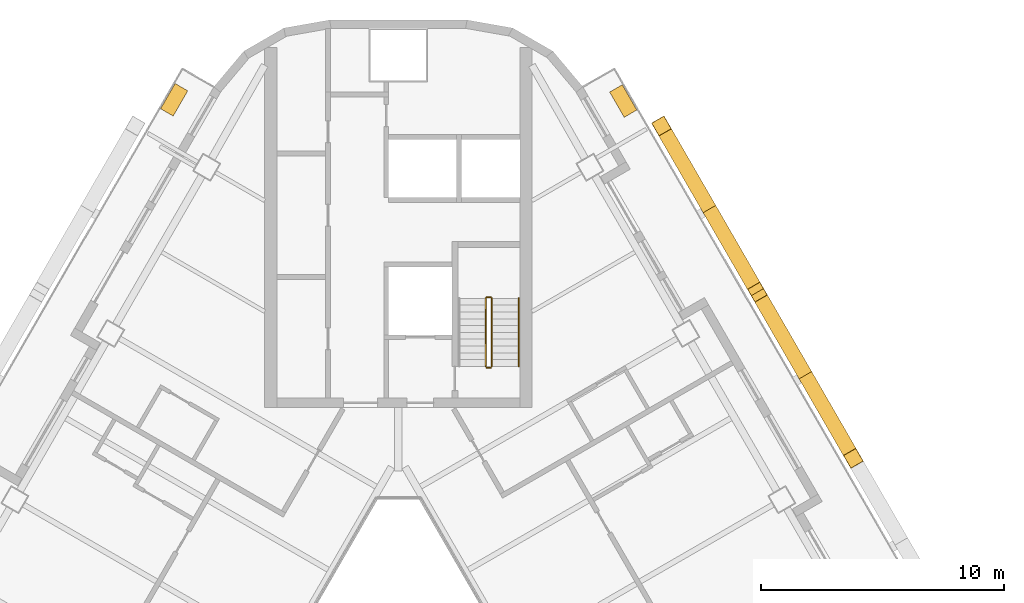
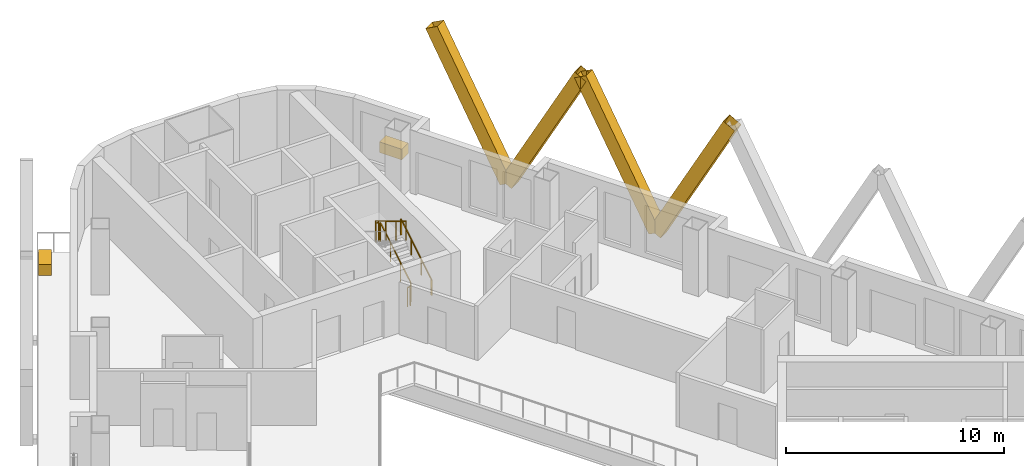
# One storey, part 13 of 13: 5 railings, 4 shading devices, 2 coverings.
"""IFC4 building model written with IfcOpenShell, lengths in metres."""

from ifc_helpers import new_model, si_unit, direction, frame, origin, origin_2d, place, context, subcontext, project, spatial, rectangle, hollow_rectangle, circle, extrude, material, material_profile, profile_set, type_object, element, save


model = new_model("IFC4")

# Units and contexts
model_context = context("Model", 3, precision=1e-05, world=origin(), true_north=direction((0.0, 1.0)))
body_context = subcontext(model_context, "Body", "Model", "MODEL_VIEW")
ifc_project = project(units=[si_unit("LENGTHUNIT", "METRE"), si_unit("AREAUNIT", "SQUARE_METRE"), si_unit("VOLUMEUNIT", "CUBIC_METRE"), si_unit("PLANEANGLEUNIT", "RADIAN"), si_unit("MASSUNIT", "GRAM", prefix="KILO")], contexts=[model_context])

# Site, building, storey
site_placement = place(None, origin())
site = spatial("IfcSite", under=ifc_project, at=site_placement, CompositionType="ELEMENT")
building_placement = place(site_placement, origin())
building = spatial("IfcBuilding", under=site, at=building_placement, Name="Apuvela Tower Hotel", CompositionType="ELEMENT")
storey_placement = place(building_placement, frame((0.0, 0.0, 183.60009765625)))
storey = spatial("IfcBuildingStorey", under=building, at=storey_placement, Name="L44", CompositionType="ELEMENT", Elevation=183.60009765625)

# Railings
ifc_material_1 = material(Name="Steel S275 balustrade", Category="steel")
railing_type_1 = type_object("IfcRailingType", Name="COR-GUARD-1100", PredefinedType="GUARDRAIL", material=ifc_material_1)
railing_1_placement = place(storey_placement, frame((3.85009765625, 14.60009765625, 0.16796875)))
element("IfcRailing", 1, at=railing_1_placement, inside=storey, type_object=railing_type_1, Name="L44 ST1 stair guard 1", PredefinedType="GUARDRAIL", context=body_context, shape_type="SweptSolid", body=[
    extrude(rectangle(XDim=0.048095703125, YDim=0.048095703125, at=origin_2d()), frame((0.0, 0.0, 1.076171875), z_axis=(0.0, 0.857222391501, 0.514946377315), x_axis=(-1.0, 0.0, 0.0)), (0.0, 0.0, 1.0), 3.26611328125),
    extrude(rectangle(XDim=0.0419921875, YDim=0.0419921875, at=origin_2d()), origin(), (0.0, 0.0, 1.0), 1.052001953125),
    extrude(rectangle(XDim=0.0419921875, YDim=0.0419921875, at=origin_2d()), frame((0.0, 0.933349609375, 0.560546875)), (0.0, 0.0, 1.0), 1.052001953125),
    extrude(rectangle(XDim=0.0419921875, YDim=0.0419921875, at=origin_2d()), frame((0.0, 1.866455078125, 1.121337890625)), (0.0, 0.0, 1.0), 1.052001953125),
    extrude(rectangle(XDim=0.0419921875, YDim=0.0419921875, at=origin_2d()), frame((0.0, 2.7998046875, 1.681884765625)), (0.0, 0.0, 1.0), 1.052001953125),
])
railing_2_placement = place(storey_placement, frame((3.800048828125, 17.449951171875, 1.849853515625)))
element("IfcRailing", 2, at=railing_2_placement, inside=storey, type_object=railing_type_1, Name="L44 ST1 stair guard 2", PredefinedType="GUARDRAIL", context=body_context, shape_type="SweptSolid", body=[
    extrude(rectangle(XDim=0.048095703125, YDim=0.048095703125, at=origin_2d()), frame((0.0, 0.0, 1.076171875), z_axis=(-1.0, 0.0, 0.0), x_axis=(0.0, -1.0, 0.0)), (0.0, 0.0, 1.0), 0.150146484375),
    extrude(rectangle(XDim=0.0419921875, YDim=0.0419921875, at=origin_2d()), origin(), (0.0, 0.0, 1.0), 1.052001953125),
    extrude(rectangle(XDim=0.0419921875, YDim=0.0419921875, at=origin_2d()), frame((-0.150146484375, 0.0, 0.0)), (0.0, 0.0, 1.0), 1.052001953125),
])
railing_3_placement = place(storey_placement, frame((3.60009765625, 17.39990234375, 2.01806640625)))
element("IfcRailing", 3, at=railing_3_placement, inside=storey, type_object=railing_type_1, Name="L44 ST1 stair guard 3", PredefinedType="GUARDRAIL", context=body_context, shape_type="SweptSolid", body=[
    extrude(rectangle(XDim=0.048095703125, YDim=0.048095703125, at=origin_2d()), frame((0.0, 0.0, 1.076171875), z_axis=(0.0, -0.857222391501, 0.514946377315), x_axis=(1.0, 0.0, 0.0)), (0.0, 0.0, 1.0), 3.26611328125),
    extrude(rectangle(XDim=0.0419921875, YDim=0.0419921875, at=origin_2d()), origin(), (0.0, 0.0, 1.0), 1.052001953125),
    extrude(rectangle(XDim=0.0419921875, YDim=0.0419921875, at=origin_2d()), frame((0.0, -0.933349609375, 0.560546875)), (0.0, 0.0, 1.0), 1.052001953125),
    extrude(rectangle(XDim=0.0419921875, YDim=0.0419921875, at=origin_2d()), frame((0.0, -1.866455078125, 1.121337890625)), (0.0, 0.0, 1.0), 1.052001953125),
    extrude(rectangle(XDim=0.0419921875, YDim=0.0419921875, at=origin_2d()), frame((0.0, -2.7998046875, 1.681884765625)), (0.0, 0.0, 1.0), 1.052001953125),
])
railing_4_placement = place(storey_placement, frame((3.800048828125, 14.550048828125, 0.0)))
element("IfcRailing", 4, at=railing_4_placement, inside=storey, type_object=railing_type_1, Name="L44 ST1 stair guard 4", PredefinedType="GUARDRAIL", context=body_context, shape_type="SweptSolid", body=[
    extrude(rectangle(XDim=0.048095703125, YDim=0.048095703125, at=origin_2d()), frame((0.0, 0.0, 1.076171875), z_axis=(-1.0, 0.0, 0.0), x_axis=(0.0, -1.0, 0.0)), (0.0, 0.0, 1.0), 0.150146484375),
    extrude(rectangle(XDim=0.0419921875, YDim=0.0419921875, at=origin_2d()), origin(), (0.0, 0.0, 1.0), 1.052001953125),
    extrude(rectangle(XDim=0.0419921875, YDim=0.0419921875, at=origin_2d()), frame((-0.150146484375, 0.0, 0.0)), (0.0, 0.0, 1.0), 1.052001953125),
])
ifc_material_2 = material(Name="Stainless steel 316 handrail", Category="steel")
railing_type_2 = type_object("IfcRailingType", Name="COR-HANDRAIL-900", PredefinedType="HANDRAIL", material=ifc_material_2)
railing_5_placement = place(storey_placement, frame((4.949951171875, 14.60009765625, 0.16796875)))
element("IfcRailing", 5, at=railing_5_placement, inside=storey, type_object=railing_type_2, Name="L44 ST1 stair handrail 1", PredefinedType="HANDRAIL", context=body_context, shape_type="SweptSolid", body=[
    extrude(circle(Radius=0.02392578125, at=origin_2d()), frame((0.0, 0.0, 0.8759765625), z_axis=(0.0, 0.857222391501, 0.514946377315), x_axis=(-1.0, 0.0, 0.0)), (0.0, 0.0, 1.0), 3.26611328125),
    extrude(rectangle(XDim=0.0419921875, YDim=0.0419921875, at=origin_2d()), origin(), (0.0, 0.0, 1.0), 0.851806640625),
    extrude(rectangle(XDim=0.0419921875, YDim=0.0419921875, at=origin_2d()), frame((0.0, 0.933349609375, 0.560546875)), (0.0, 0.0, 1.0), 0.851806640625),
    extrude(rectangle(XDim=0.0419921875, YDim=0.0419921875, at=origin_2d()), frame((0.0, 1.866455078125, 1.121337890625)), (0.0, 0.0, 1.0), 0.851806640625),
    extrude(rectangle(XDim=0.0419921875, YDim=0.0419921875, at=origin_2d()), frame((0.0, 2.7998046875, 1.681884765625)), (0.0, 0.0, 1.0), 0.851806640625),
])

# Shading devices
ifc_material_3 = material(Name="Aluminium 6063-T6, black anodised", Category="aluminium")
ifc_material_profile = material_profile(ifc_material_3, hollow_rectangle(XDim=0.60009765625, YDim=0.699951171875, WallThickness=0.011962890625, at=origin_2d()), Name="AL BOX 700x600x12")
ifc_profile_set = profile_set([ifc_material_profile], Name="Aluminium 6063-T6, black anodised")
shading_device_type = type_object("IfcShadingDeviceType", Name="ENV-FIN-700x600", PredefinedType="USERDEFINED", material=ifc_profile_set)
for number, where, z_axis, x_axis, name in (
    (6, (16.757080078125, 14.23583984375, -0.10009765625), (0.235461085354, -0.407822092458, 0.882178677019), (0.866020906874, 0.500007788796, 0.0), "Lattice fin NE381"),
    (7, (16.757080078125, 14.23583984375, -0.10009765625), (-0.235463880167, 0.407797827568, 0.882189148067), (-0.866005453737, -0.500034552904, 0.0), "Lattice fin NE382"),
    (8, (12.80712890625, 21.077392578125, -0.10009765625), (0.235433593518, -0.407824887177, 0.882184722404), (0.866047669374, 0.499961432884, 0.0), "Lattice fin NE383"),
    (9, (12.80712890625, 21.077392578125, -0.10009765625), (-0.235461085354, 0.407822092458, 0.882178677019), (-0.866020906874, -0.500007788796, 0.0), "Lattice fin NE384"),
):
    element("IfcShadingDevice", number, at=place(storey_placement, frame(where, z_axis=z_axis, x_axis=x_axis)), inside=storey, type_object=shading_device_type, Name=name, ObjectType="FIN", PredefinedType="USERDEFINED", context=body_context, shape_type="SweptSolid", body=[
        extrude(hollow_rectangle(XDim=0.60009765625, YDim=0.699951171875, WallThickness=0.011962890625, at=origin_2d()), origin(), (0.0, 0.0, 1.0), 8.38818359375),
    ])

# Coverings
ifc_material_4 = material(Name="Planting substrate and soil, planted")
covering_type = type_object("IfcCoveringType", Name="ENV-PLANTER-1200x600", PredefinedType="USERDEFINED", material=ifc_material_4)
for number, where, z_axis, x_axis, name in (
    (10, (9.25830078125, 25.524169921875, -0.000244140625), (0.0, 0.0, 1.0), (-0.5, 0.866025403784, 0.0), "Planter NE3"),
    (11, (-9.228515625, 25.57568359375, -0.000244140625), (0.0, 0.0, 1.0), (-0.5, -0.866025403784, 0.0), "Planter NW4"),
):
    element("IfcCovering", number, at=place(storey_placement, frame(where, z_axis=z_axis, x_axis=x_axis)), inside=storey, type_object=covering_type, Name=name, ObjectType="PLANTER", PredefinedType="USERDEFINED", context=body_context, shape_type="SweptSolid", body=[
        extrude(rectangle(XDim=1.199951171875, YDim=0.60009765625, at=origin_2d()), origin(), (0.0, 0.0, 1.0), 0.60009765625),
    ])

save(model, "model.ifc")
